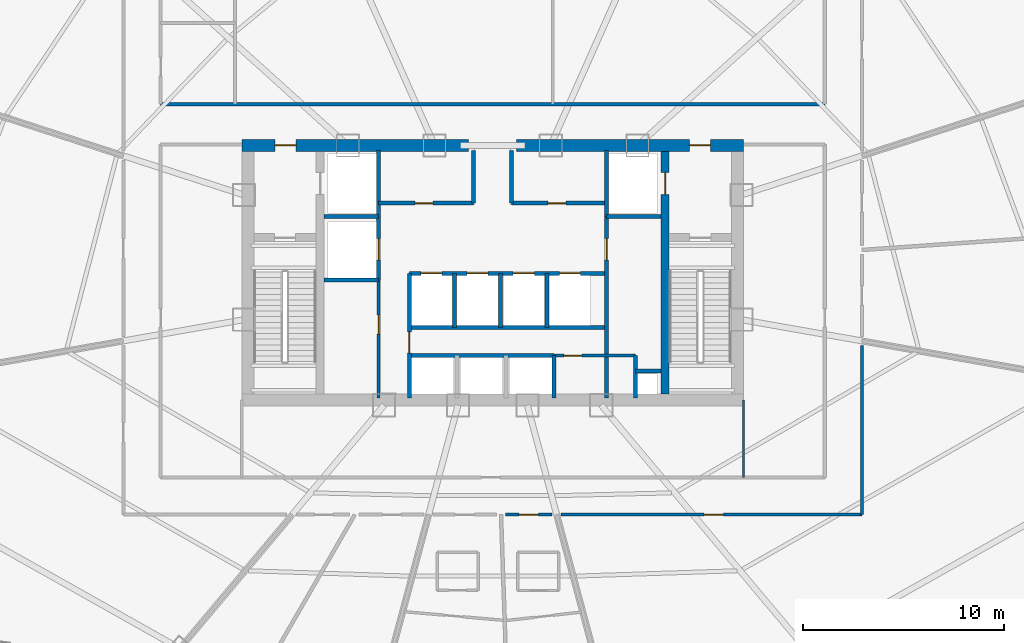
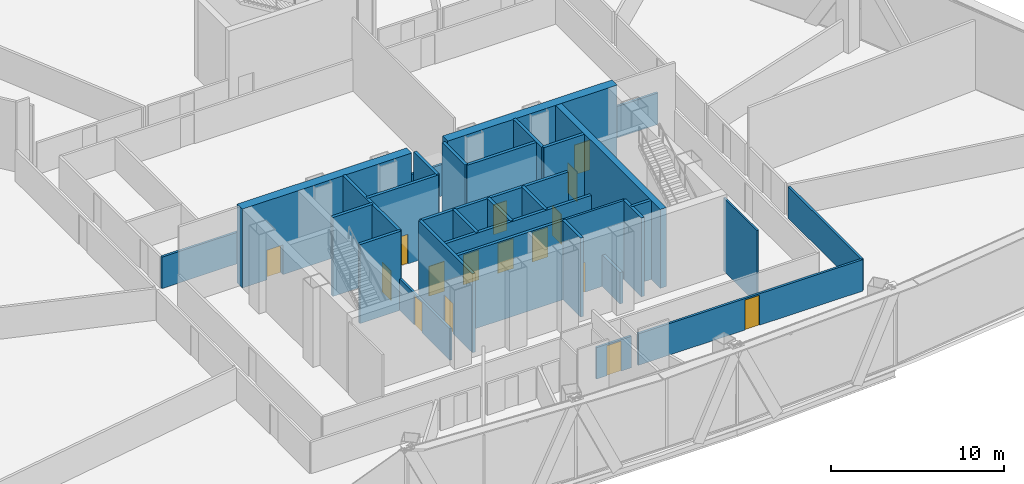
# One storey, part 34 of 40: 30 walls, 16 doors, 16 openings.
"""IFC4 building model written with IfcOpenShell, lengths in metres."""

from ifc_helpers import new_model, si_unit, direction, frame, frame_2d, origin, origin_with_axes, place, context, subcontext, project, spatial, rectangle, extrude, source, transform, mapped, material, layer, layer_set, type_object, element, fill, save


model = new_model("IFC4")

# Units and contexts
model_context = context("Model", 3, precision=1e-05, world=origin(), true_north=direction((0.0, 1.0)))
body_context = subcontext(model_context, "Body", "Model", "MODEL_VIEW")
ifc_project = project(units=[si_unit("LENGTHUNIT", "METRE"), si_unit("AREAUNIT", "SQUARE_METRE"), si_unit("VOLUMEUNIT", "CUBIC_METRE"), si_unit("PLANEANGLEUNIT", "RADIAN"), si_unit("MASSUNIT", "GRAM", prefix="KILO"), si_unit("THERMODYNAMICTEMPERATUREUNIT", "KELVIN"), si_unit("POWERUNIT", "WATT")], contexts=[model_context])

# Site, building, storey
site_placement = place(None, origin())
site = spatial("IfcSite", under=ifc_project, at=site_placement, CompositionType="ELEMENT")
building_placement = place(site_placement, origin())
building = spatial("IfcBuilding", under=site, at=building_placement, Name="Yunzhuo Pagoda Commons", CompositionType="ELEMENT")
storey_placement = place(building_placement, frame((0.0, 0.0, 170.31005859375)))
storey = spatial("IfcBuildingStorey", under=building, at=storey_placement, Name="L43", CompositionType="ELEMENT", Elevation=170.31005859375)

# Wall, opening, door
ifc_material_1 = material(Name="Concrete C60", Category="concrete")
ifc_layer_1 = layer(ifc_material_1, 0.60009765625)
ifc_layer_set_1 = layer_set([ifc_layer_1], Name="Concrete C60")
wall_type_1 = type_object("IfcWallType", Name="W-C02 Mid Core Shear Wall 600", PredefinedType="SHEAR", material=ifc_layer_set_1)
wall_1_placement = place(storey_placement, frame((35.5, 40.199951171875, 0.0), z_axis=(0.0, 0.0, 1.0), x_axis=(1.0, 0.0, 0.0)))
wall_1 = element("IfcWall", 1, at=wall_1_placement, inside=storey, type_object=wall_type_1, Name="L43 core shear wall NW", PredefinedType="SHEAR", context=body_context, shape_type="SweptSolid", body=[
    extrude(rectangle(XDim=11.300048828125, YDim=0.60009765625, at=frame_2d((5.64990234375, 0.0))), origin(), (0.0, 0.0, 1.0), 5.56982421875),
])
opening_1_placement = place(wall_1_placement, frame((1.64990234375, 0.0, 0.0)))
opening_1 = element("IfcOpeningElement", 2, at=opening_1_placement, cuts=wall_1, Name="Opening D-02", PredefinedType="OPENING", context=body_context, shape_type="SweptSolid", body=[
    extrude(rectangle(XDim=1.050048828125, YDim=2.10009765625, at=frame_2d((0.52490234375, 1.050048828125))), frame((0.0, 0.31005859375, 0.0), z_axis=(0.0, -1.0, 0.0), x_axis=(1.0, 0.0, 0.0)), (0.0, 0.0, 1.0), 0.6201171875),
])
ifc_material_2 = material(Name="Galvanized fire-resisting metal leaf")
door_type_1 = type_object("IfcDoorType", Name="D-02 Firefighting Lobby & Refuge Fire Door 1050x2100", OperationType="NOTDEFINED", PredefinedType="DOOR", material=ifc_material_2)
shared_shape_1 = source(origin(), body_context, "Body", "SweptSolid", [
    extrude(rectangle(XDim=1.050048828125, YDim=2.10009765625, at=frame_2d((0.52490234375, 1.050048828125))), frame((0.0, 0.02490234375, 0.0), z_axis=(0.0, -1.0, 0.0), x_axis=(1.0, 0.0, 0.0)), (0.0, 0.0, 1.0), 0.050048828125),
])
door_1_placement = place(opening_1_placement, frame((1.050048828125, 0.0, 0.0), z_axis=(0.0, 0.0, 1.0), x_axis=(-1.0, 0.0, 0.0)))
door_1 = element("IfcDoor", 3, at=door_1_placement, inside=storey, type_object=door_type_1, Name="L43 Firefighting Lobby 1 fire door", OperationType="SINGLE_SWING_LEFT", OverallHeight=2.10009765625, OverallWidth=1.050048828125, PredefinedType="DOOR", context=body_context, shape_type="MappedRepresentation", body=[
    mapped(shared_shape_1, transform((0.0, 0.0, 0.0), scale=1.0)),
])
fill(opening_1, door_1)

wall_2_placement = place(storey_placement, frame((49.199951171875, 40.199951171875, 0.0), z_axis=(0.0, 0.0, 1.0), x_axis=(1.0, 0.0, 0.0)))
wall_2 = element("IfcWall", 4, at=wall_2_placement, inside=storey, type_object=wall_type_1, Name="L43 core shear wall NE", PredefinedType="SHEAR", context=body_context, shape_type="SweptSolid", body=[
    extrude(rectangle(XDim=11.300048828125, YDim=0.60009765625, at=frame_2d((5.64990234375, 0.0))), origin(), (0.0, 0.0, 1.0), 5.56982421875),
])
opening_2_placement = place(wall_2_placement, frame((8.60009765625, 0.0, 0.0)))
opening_2 = element("IfcOpeningElement", 5, at=opening_2_placement, cuts=wall_2, Name="Opening D-02", PredefinedType="OPENING", context=body_context, shape_type="SweptSolid", body=[
    extrude(rectangle(XDim=1.050048828125, YDim=2.10009765625, at=frame_2d((0.52490234375, 1.050048828125))), frame((0.0, 0.31005859375, 0.0), z_axis=(0.0, -1.0, 0.0), x_axis=(1.0, 0.0, 0.0)), (0.0, 0.0, 1.0), 0.6201171875),
])
door_2_placement = place(opening_2_placement, frame((1.050048828125, 0.0, 0.0), z_axis=(0.0, 0.0, 1.0), x_axis=(-1.0, 0.0, 0.0)))
door_2 = element("IfcDoor", 6, at=door_2_placement, inside=storey, type_object=door_type_1, Name="L43 Firefighting Lobby 2 fire door", OperationType="SINGLE_SWING_RIGHT", OverallHeight=2.10009765625, OverallWidth=1.050048828125, PredefinedType="DOOR", context=body_context, shape_type="MappedRepresentation", body=[
    mapped(shared_shape_1, transform((0.0, 0.0, 0.0), scale=1.0)),
])
fill(opening_2, door_2)

ifc_material_3 = material(Name="Gypsum plasterboard on acoustic stud")
ifc_layer_2 = layer(ifc_material_3, 0.155029296875)
ifc_layer_set_2 = layer_set([ifc_layer_2], Name="Gypsum plasterboard on acoustic stud")
wall_type_2 = type_object("IfcWallType", Name="W-COR2 Mid-Zone Rated Corridor Wall 155", PredefinedType="PARTITIONING", material=ifc_layer_set_2)
wall_3_placement = place(storey_placement, frame((42.320068359375, 27.60009765625, 0.0), z_axis=(0.0, 0.0, 1.0), x_axis=(0.0, 1.0, 0.0)))
wall_3 = element("IfcWall", 7, at=wall_3_placement, inside=storey, type_object=wall_type_2, Name="L43 interior wall IW-L43-CSWE", PredefinedType="PARTITIONING", context=body_context, shape_type="SweptSolid", body=[
    extrude(rectangle(XDim=5.89990234375, YDim=0.155029296875, at=frame_2d((2.949951171875, 0.0))), origin(), (0.0, 0.0, 1.0), 2.219970703125),
])
opening_3_placement = place(wall_3_placement, frame((3.199951171875, 0.0, 0.0)))
opening_3 = element("IfcOpeningElement", 8, at=opening_3_placement, cuts=wall_3, Name="Opening D-11", PredefinedType="OPENING", context=body_context, shape_type="SweptSolid", body=[
    extrude(rectangle(XDim=0.93994140625, YDim=2.10009765625, at=frame_2d((0.469970703125, 1.050048828125))), frame((0.0, 0.08740234375, 0.0), z_axis=(0.0, -1.0, 0.0), x_axis=(1.0, 0.0, 0.0)), (0.0, 0.0, 1.0), 0.175048828125),
])
door_type_2 = type_object("IfcDoorType", Name="D-11 Accessible Washroom Fire Door 940x2100", OperationType="NOTDEFINED", PredefinedType="DOOR", material=ifc_material_2)
shared_shape_2 = source(origin(), body_context, "Body", "SweptSolid", [
    extrude(rectangle(XDim=0.93994140625, YDim=2.10009765625, at=frame_2d((0.469970703125, 1.050048828125))), frame((0.0, 0.02490234375, 0.0), z_axis=(0.0, -1.0, 0.0), x_axis=(1.0, 0.0, 0.0)), (0.0, 0.0, 1.0), 0.050048828125),
])
door_3_placement = place(opening_3_placement, origin_with_axes())
door_3 = element("IfcDoor", 9, at=door_3_placement, inside=storey, type_object=door_type_2, Name="L43 core WC door", OperationType="SINGLE_SWING_LEFT", OverallHeight=2.10009765625, OverallWidth=0.93994140625, PredefinedType="DOOR", context=body_context, shape_type="MappedRepresentation", body=[
    mapped(shared_shape_2, transform((0.0, 0.0, 0.0), scale=1.0)),
])
fill(opening_3, door_3)

wall_4_placement = place(storey_placement, frame((51.050048828125, 29.719970703125, 0.0), z_axis=(0.0, 0.0, 1.0), x_axis=(1.0, 0.0, 0.0)))
wall_4 = element("IfcWall", 10, at=wall_4_placement, inside=storey, type_object=wall_type_2, Name="L43 interior wall IW-L43-CSES", PredefinedType="PARTITIONING", context=body_context, shape_type="SweptSolid", body=[
    extrude(rectangle(XDim=4.070068359375, YDim=0.155029296875, at=frame_2d((2.03515625, 0.0))), origin(), (0.0, 0.0, 1.0), 5.56982421875),
])
opening_4_placement = place(wall_4_placement, frame((0.5, 0.0, 0.0)))
opening_4 = element("IfcOpeningElement", 11, at=opening_4_placement, cuts=wall_4, Name="Opening D-03", PredefinedType="OPENING", context=body_context, shape_type="SweptSolid", body=[
    extrude(rectangle(XDim=0.89990234375, YDim=2.10009765625, at=frame_2d((0.449951171875, 1.050048828125))), frame((0.0, 0.08740234375, 0.0), z_axis=(0.0, -1.0, 0.0), x_axis=(1.0, 0.0, 0.0)), (0.0, 0.0, 1.0), 0.175048828125),
])
door_type_3 = type_object("IfcDoorType", Name="D-03 Core Service Fire Door 900x2100", OperationType="NOTDEFINED", PredefinedType="DOOR", material=ifc_material_2)
shared_shape_3 = source(origin(), body_context, "Body", "SweptSolid", [
    extrude(rectangle(XDim=0.89990234375, YDim=2.10009765625, at=frame_2d((0.449951171875, 1.050048828125))), frame((0.0, 0.02490234375, 0.0), z_axis=(0.0, -1.0, 0.0), x_axis=(1.0, 0.0, 0.0)), (0.0, 0.0, 1.0), 0.050048828125),
])
door_4_placement = place(opening_4_placement, origin_with_axes())
door_4 = element("IfcDoor", 12, at=door_4_placement, inside=storey, type_object=door_type_3, Name="L43 cleaner store door", OperationType="SINGLE_SWING_LEFT", OverallHeight=2.10009765625, OverallWidth=0.89990234375, PredefinedType="DOOR", context=body_context, shape_type="MappedRepresentation", body=[
    mapped(shared_shape_3, transform((0.0, 0.0, 0.0), scale=1.0)),
])
fill(opening_4, door_4)

# Walls
wall_5_placement = place(storey_placement, frame((31.449951171875, 42.25, 0.0), z_axis=(0.0, 0.0, 1.0), x_axis=(1.0, 0.0, 0.0)))
element("IfcWall", 13, at=wall_5_placement, inside=storey, type_object=wall_type_2, Name="L43 interior wall IW-L43-MCNS", PredefinedType="PARTITIONING", context=body_context, shape_type="SweptSolid", body=[
    extrude(rectangle(XDim=33.10009765625, YDim=0.155029296875, at=frame_2d((16.550048828125, 0.0))), origin(), (0.0, 0.0, 1.0), 2.219970703125),
])
wall_6_placement = place(storey_placement, frame((66.39990234375, 30.232177734375, 0.0), z_axis=(0.0, 0.0, 1.0), x_axis=(0.0, -1.0, 0.0)))
element("IfcWall", 14, at=wall_6_placement, inside=storey, type_object=wall_type_2, Name="L43 interior wall IW-L43-CWL14", PredefinedType="PARTITIONING", context=body_context, shape_type="SweptSolid", body=[
    extrude(rectangle(XDim=8.43212890625, YDim=0.155029296875, at=frame_2d((4.216064453125, 0.0))), origin(), (0.0, 0.0, 1.0), 2.219970703125),
])

# Wall, opening, door
wall_7_placement = place(storey_placement, frame((66.39990234375, 21.800048828125, 0.0), z_axis=(0.0, 0.0, 1.0), x_axis=(-1.0, 0.0, 0.0)))
wall_7 = element("IfcWall", 15, at=wall_7_placement, inside=storey, type_object=wall_type_2, Name="L43 interior wall IW-L43-CWL15", PredefinedType="PARTITIONING", context=body_context, shape_type="SweptSolid", body=[
    extrude(rectangle(XDim=14.9833984375, YDim=0.155029296875, at=frame_2d((7.49169921875, 0.0))), origin(), (0.0, 0.0, 1.0), 2.219970703125),
])
opening_5_placement = place(wall_7_placement, frame((6.900634765625, 0.0, 0.0)))
opening_5 = element("IfcOpeningElement", 16, at=opening_5_placement, cuts=wall_7, Name="Opening D-07", PredefinedType="OPENING", context=body_context, shape_type="SweptSolid", body=[
    extrude(rectangle(XDim=0.9599609375, YDim=2.1201171875, at=frame_2d((0.47998046875, 1.06005859375))), frame((0.0, 0.08740234375, 0.0), z_axis=(0.0, -1.0, 0.0), x_axis=(1.0, 0.0, 0.0)), (0.0, 0.0, 1.0), 0.175048828125),
])
door_type_4 = type_object("IfcDoorType", Name="D-07 Mid-Zone Suite Entrance Fire Door 960x2120", OperationType="NOTDEFINED", PredefinedType="DOOR", material=ifc_material_2)
shared_shape_4 = source(origin(), body_context, "Body", "SweptSolid", [
    extrude(rectangle(XDim=0.9599609375, YDim=2.1201171875, at=frame_2d((0.47998046875, 1.06005859375))), frame((0.0, 0.02490234375, 0.0), z_axis=(0.0, -1.0, 0.0), x_axis=(1.0, 0.0, 0.0)), (0.0, 0.0, 1.0), 0.050048828125),
])
door_5_placement = place(opening_5_placement, origin_with_axes())
door_5 = element("IfcDoor", 17, at=door_5_placement, inside=storey, type_object=door_type_4, Name="L43 Resident Co-Living Commons Hall door", OperationType="SINGLE_SWING_LEFT", OverallHeight=2.1201171875, OverallWidth=0.9599609375, PredefinedType="DOOR", context=body_context, shape_type="MappedRepresentation", body=[
    mapped(shared_shape_4, transform((0.0, 0.0, 0.0), scale=1.0)),
])
fill(opening_5, door_5)

wall_8_placement = place(storey_placement, frame((50.96875, 21.800048828125, 0.0), z_axis=(0.0, 0.0, 1.0), x_axis=(-1.0, 0.0, 0.0)))
wall_8 = element("IfcWall", 18, at=wall_8_placement, inside=storey, type_object=wall_type_2, Name="L43 interior wall IW-L43-CWL16", PredefinedType="PARTITIONING", context=body_context, shape_type="SweptSolid", body=[
    extrude(rectangle(XDim=2.3330078125, YDim=0.155029296875, at=frame_2d((1.16650390625, 0.0))), origin(), (0.0, 0.0, 1.0), 2.219970703125),
])
opening_6_placement = place(wall_8_placement, frame((0.691650390625, 0.0, 0.0)))
opening_6 = element("IfcOpeningElement", 19, at=opening_6_placement, cuts=wall_8, Name="Opening D-07", PredefinedType="OPENING", context=body_context, shape_type="SweptSolid", body=[
    extrude(rectangle(XDim=0.9599609375, YDim=2.1201171875, at=frame_2d((0.47998046875, 1.06005859375))), frame((0.0, 0.08740234375, 0.0), z_axis=(0.0, -1.0, 0.0), x_axis=(1.0, 0.0, 0.0)), (0.0, 0.0, 1.0), 0.175048828125),
])
door_6_placement = place(opening_6_placement, origin_with_axes())
door_6 = element("IfcDoor", 20, at=door_6_placement, inside=storey, type_object=door_type_4, Name="L43 unit 13 entrance door", OperationType="SINGLE_SWING_RIGHT", OverallHeight=2.1201171875, OverallWidth=0.9599609375, PredefinedType="DOOR", context=body_context, shape_type="MappedRepresentation", body=[
    mapped(shared_shape_4, transform((0.0, 0.0, 0.0), scale=1.0)),
])
fill(opening_6, door_6)

# Wall
ifc_layer_3 = layer(ifc_material_3, 0.1201171875)
ifc_layer_set_3 = layer_set([ifc_layer_3], Name="Gypsum plasterboard on acoustic stud")
wall_type_3 = type_object("IfcWallType", Name="W-PRT1 Suite & Bathroom Partition 120", PredefinedType="PARTITIONING", material=ifc_layer_set_3)
wall_9_placement = place(storey_placement, frame((60.5, 23.64990234375, 0.0), z_axis=(0.0, 0.0, 1.0), x_axis=(0.0, 1.0, 0.0)))
element("IfcWall", 21, at=wall_9_placement, inside=storey, type_object=wall_type_3, Name="L43 interior wall IW-L43-SFLD2", PredefinedType="PARTITIONING", context=body_context, shape_type="SweptSolid", body=[
    extrude(rectangle(XDim=3.85009765625, YDim=0.1201171875, at=frame_2d((1.925048828125, 0.0))), origin(), (0.0, 0.0, 1.0), 5.169921875),
])

# Wall, opening, door
ifc_layer_4 = layer(ifc_material_1, 0.39990234375)
ifc_layer_set_4 = layer_set([ifc_layer_4], Name="Concrete C60")
wall_type_4 = type_object("IfcWallType", Name="W-S01 Internal Core Shear Web 400", PredefinedType="SHEAR", material=ifc_layer_set_4)
wall_10_placement = place(storey_placement, frame((56.60009765625, 27.800048828125, 0.0), z_axis=(0.0, 0.0, 1.0), x_axis=(0.0, 1.0, 0.0)))
wall_10 = element("IfcWall", 22, at=wall_10_placement, inside=storey, type_object=wall_type_4, Name="L43 core shear wall WEBE", PredefinedType="SHEAR", context=body_context, shape_type="SweptSolid", body=[
    extrude(rectangle(XDim=12.099853515625, YDim=0.39990234375, at=frame_2d((6.0498046875, 0.0))), origin(), (0.0, 0.0, 1.0), 5.56982421875),
])
opening_7_placement = place(wall_10_placement, frame((9.949951171875, 0.0, 0.0)))
opening_7 = element("IfcOpeningElement", 23, at=opening_7_placement, cuts=wall_10, Name="Opening LD-01", PredefinedType="OPENING", context=body_context, shape_type="SweptSolid", body=[
    extrude(rectangle(XDim=1.10009765625, YDim=2.10009765625, at=frame_2d((0.550048828125, 1.050048828125))), frame((0.0, 0.2099609375, 0.0), z_axis=(0.0, -1.0, 0.0), x_axis=(1.0, 0.0, 0.0)), (0.0, 0.0, 1.0), 0.419921875),
])
door_type_5 = type_object("IfcDoorType", Name="LD-01 Firefighting Lift Landing Door 1100x2100", OperationType="DOUBLE_DOOR_SLIDING", PredefinedType="DOOR", material=ifc_material_2)
shared_shape_5 = source(origin(), body_context, "Body", "SweptSolid", [
    extrude(rectangle(XDim=1.10009765625, YDim=2.10009765625, at=frame_2d((0.550048828125, 1.050048828125))), frame((0.0, 0.02490234375, 0.0), z_axis=(0.0, -1.0, 0.0), x_axis=(1.0, 0.0, 0.0)), (0.0, 0.0, 1.0), 0.050048828125),
])
door_7_placement = place(opening_7_placement, origin_with_axes())
door_7 = element("IfcDoor", 24, at=door_7_placement, inside=storey, type_object=door_type_5, Name="L43 Firefighting lift FL-2 landing door", OperationType="DOUBLE_DOOR_SLIDING", OverallHeight=2.10009765625, OverallWidth=1.10009765625, PredefinedType="DOOR", context=body_context, shape_type="MappedRepresentation", body=[
    mapped(shared_shape_5, transform((0.0, 0.0, 0.0), scale=1.0)),
])
fill(opening_7, door_7)

ifc_material_4 = material(Name="Concrete C40", Category="concrete")
ifc_layer_5 = layer(ifc_material_4, 0.199951171875)
ifc_layer_set_5 = layer_set([ifc_layer_5], Name="Concrete C40")
wall_type_5 = type_object("IfcWallType", Name="W-SHF Shaft & Stair Enclosure Wall 200", PredefinedType="SOLIDWALL", material=ifc_layer_set_5)
wall_11_placement = place(storey_placement, frame((42.320068359375, 33.5, 0.0), z_axis=(0.0, 0.0, 1.0), x_axis=(0.0, 1.0, 0.0)))
wall_11 = element("IfcWall", 25, at=wall_11_placement, inside=storey, type_object=wall_type_5, Name="L43 interior wall IW-L43-FL1E", PredefinedType="SOLIDWALL", context=body_context, shape_type="SweptSolid", body=[
    extrude(rectangle(XDim=6.449951171875, YDim=0.199951171875, at=frame_2d((3.22509765625, 0.0))), origin(), (0.0, 0.0, 1.0), 5.56982421875),
])
opening_8_placement = place(wall_11_placement, frame((1.0, 0.0, 0.0)))
opening_8 = element("IfcOpeningElement", 26, at=opening_8_placement, cuts=wall_11, Name="Opening LD-02", PredefinedType="OPENING", context=body_context, shape_type="SweptSolid", body=[
    extrude(rectangle(XDim=1.050048828125, YDim=2.10009765625, at=frame_2d((0.52490234375, 1.050048828125))), frame((0.0, 0.10986328125, 0.0), z_axis=(0.0, -1.0, 0.0), x_axis=(1.0, 0.0, 0.0)), (0.0, 0.0, 1.0), 0.219970703125),
])
door_type_6 = type_object("IfcDoorType", Name="LD-02 Passenger Lift Landing Door 1050x2100", OperationType="DOUBLE_DOOR_SLIDING", PredefinedType="DOOR", material=ifc_material_2)
door_8_placement = place(opening_8_placement, origin_with_axes())
door_8 = element("IfcDoor", 27, at=door_8_placement, inside=storey, type_object=door_type_6, Name="L43 Service lift SL-1 landing door", OperationType="DOUBLE_DOOR_SLIDING", OverallHeight=2.10009765625, OverallWidth=1.050048828125, PredefinedType="DOOR", context=body_context, shape_type="MappedRepresentation", body=[
    mapped(shared_shape_1, transform((0.0, 0.0, 0.0), scale=1.0)),
])
fill(opening_8, door_8)

# Walls
for number, where, z_axis, x_axis, name in (
    (28, (39.60009765625, 36.64990234375, 0.0), (0.0, 0.0, 1.0), (1.0, 0.0, 0.0), "L43 interior wall IW-L43-FL1S"),
    (29, (39.60009765625, 33.5, 0.0), (0.0, 0.0, 1.0), (1.0, 0.0, 0.0), "L43 interior wall IW-L43-SL1S"),
):
    element("IfcWall", number, at=place(storey_placement, frame(where, z_axis=z_axis, x_axis=x_axis)), inside=storey, type_object=wall_type_5, Name=name, PredefinedType="SOLIDWALL", context=body_context, shape_type="SweptSolid", body=[
        extrude(rectangle(XDim=2.719970703125, YDim=0.199951171875, at=frame_2d((1.35986328125, 0.0))), origin(), (0.0, 0.0, 1.0), 5.56982421875),
    ])
wall_12_placement = place(storey_placement, frame((53.679931640625, 36.64990234375, 0.0), z_axis=(0.0, 0.0, 1.0), x_axis=(0.0, 1.0, 0.0)))
element("IfcWall", 30, at=wall_12_placement, inside=storey, type_object=wall_type_5, Name="L43 interior wall IW-L43-FL2W", PredefinedType="SOLIDWALL", context=body_context, shape_type="SweptSolid", body=[
    extrude(rectangle(XDim=3.300048828125, YDim=0.199951171875, at=frame_2d((1.64990234375, 0.0))), origin(), (0.0, 0.0, 1.0), 5.56982421875),
])
wall_13_placement = place(storey_placement, frame((53.679931640625, 36.64990234375, 0.0), z_axis=(0.0, 0.0, 1.0), x_axis=(1.0, 0.0, 0.0)))
element("IfcWall", 31, at=wall_13_placement, inside=storey, type_object=wall_type_5, Name="L43 interior wall IW-L43-FL2S", PredefinedType="SOLIDWALL", context=body_context, shape_type="SweptSolid", body=[
    extrude(rectangle(XDim=2.719970703125, YDim=0.199951171875, at=frame_2d((1.35986328125, 0.0))), origin(), (0.0, 0.0, 1.0), 5.56982421875),
])

# Wall, opening, door
wall_14_placement = place(storey_placement, frame((42.320068359375, 37.320068359375, 0.0), z_axis=(0.0, 0.0, 1.0), x_axis=(1.0, 0.0, 0.0)))
wall_14 = element("IfcWall", 32, at=wall_14_placement, inside=storey, type_object=wall_type_5, Name="L43 interior wall IW-L43-LBNW", PredefinedType="SOLIDWALL", context=body_context, shape_type="SweptSolid", body=[
    extrude(rectangle(XDim=4.72998046875, YDim=0.199951171875, at=frame_2d((2.364990234375, 0.0))), origin(), (0.0, 0.0, 1.0), 5.56982421875),
])
opening_9_placement = place(wall_14_placement, frame((1.800048828125, 0.0, 0.0)))
opening_9 = element("IfcOpeningElement", 33, at=opening_9_placement, cuts=wall_14, Name="Opening D-03", PredefinedType="OPENING", context=body_context, shape_type="SweptSolid", body=[
    extrude(rectangle(XDim=0.89990234375, YDim=2.10009765625, at=frame_2d((0.449951171875, 1.050048828125))), frame((0.0, 0.10986328125, 0.0), z_axis=(0.0, -1.0, 0.0), x_axis=(1.0, 0.0, 0.0)), (0.0, 0.0, 1.0), 0.219970703125),
])
door_9_placement = place(opening_9_placement, frame((0.89990234375, 0.0, 0.0), z_axis=(0.0, 0.0, 1.0), x_axis=(-1.0, 0.0, 0.0)))
door_9 = element("IfcDoor", 34, at=door_9_placement, inside=storey, type_object=door_type_3, Name="L43 core west store door", OperationType="SINGLE_SWING_LEFT", OverallHeight=2.10009765625, OverallWidth=0.89990234375, PredefinedType="DOOR", context=body_context, shape_type="MappedRepresentation", body=[
    mapped(shared_shape_3, transform((0.0, 0.0, 0.0), scale=1.0)),
])
fill(opening_9, door_9)

wall_15_placement = place(storey_placement, frame((48.949951171875, 37.320068359375, 0.0), z_axis=(0.0, 0.0, 1.0), x_axis=(1.0, 0.0, 0.0)))
wall_15 = element("IfcWall", 35, at=wall_15_placement, inside=storey, type_object=wall_type_5, Name="L43 interior wall IW-L43-LBNE", PredefinedType="SOLIDWALL", context=body_context, shape_type="SweptSolid", body=[
    extrude(rectangle(XDim=4.72998046875, YDim=0.199951171875, at=frame_2d((2.364990234375, 0.0))), origin(), (0.0, 0.0, 1.0), 5.56982421875),
])
opening_10_placement = place(wall_15_placement, frame((1.800048828125, 0.0, 0.0)))
opening_10 = element("IfcOpeningElement", 36, at=opening_10_placement, cuts=wall_15, Name="Opening D-03", PredefinedType="OPENING", context=body_context, shape_type="SweptSolid", body=[
    extrude(rectangle(XDim=0.89990234375, YDim=2.10009765625, at=frame_2d((0.449951171875, 1.050048828125))), frame((0.0, 0.10986328125, 0.0), z_axis=(0.0, -1.0, 0.0), x_axis=(1.0, 0.0, 0.0)), (0.0, 0.0, 1.0), 0.219970703125),
])
door_10_placement = place(opening_10_placement, frame((0.89990234375, 0.0, 0.0), z_axis=(0.0, 0.0, 1.0), x_axis=(-1.0, 0.0, 0.0)))
door_10 = element("IfcDoor", 37, at=door_10_placement, inside=storey, type_object=door_type_3, Name="L43 core east store door", OperationType="SINGLE_SWING_RIGHT", OverallHeight=2.10009765625, OverallWidth=0.89990234375, PredefinedType="DOOR", context=body_context, shape_type="MappedRepresentation", body=[
    mapped(shared_shape_3, transform((0.0, 0.0, 0.0), scale=1.0)),
])
fill(opening_10, door_10)

# Walls
for number, where, z_axis, x_axis, name in (
    (38, (47.050048828125, 37.320068359375, 0.0), (0.0, 0.0, 1.0), (0.0, 1.0, 0.0), "L43 interior wall IW-L43-THRW"),
    (39, (48.949951171875, 37.320068359375, 0.0), (0.0, 0.0, 1.0), (0.0, 1.0, 0.0), "L43 interior wall IW-L43-THRE"),
):
    element("IfcWall", number, at=place(storey_placement, frame(where, z_axis=z_axis, x_axis=x_axis)), inside=storey, type_object=wall_type_5, Name=name, PredefinedType="SOLIDWALL", context=body_context, shape_type="SweptSolid", body=[
        extrude(rectangle(XDim=2.6298828125, YDim=0.199951171875, at=frame_2d((1.31494140625, 0.0))), origin(), (0.0, 0.0, 1.0), 5.56982421875),
    ])

# Wall, openings, doors
wall_16_placement = place(storey_placement, frame((43.85009765625, 33.820068359375, 0.0), z_axis=(0.0, 0.0, 1.0), x_axis=(1.0, 0.0, 0.0)))
wall_16 = element("IfcWall", 40, at=wall_16_placement, inside=storey, type_object=wall_type_5, Name="L43 interior wall IW-L43-MLBS", PredefinedType="SOLIDWALL", context=body_context, shape_type="SweptSolid", body=[
    extrude(rectangle(XDim=9.829833984375, YDim=0.199951171875, at=frame_2d((4.9150390625, 0.0))), origin(), (0.0, 0.0, 1.0), 5.56982421875),
])
opening_11_placement = place(wall_16_placement, frame((0.574951171875, 0.0, 0.0)))
opening_11 = element("IfcOpeningElement", 41, at=opening_11_placement, cuts=wall_16, Name="Opening LD-02", PredefinedType="OPENING", context=body_context, shape_type="SweptSolid", body=[
    extrude(rectangle(XDim=1.050048828125, YDim=2.10009765625, at=frame_2d((0.52490234375, 1.050048828125))), frame((0.0, 0.10986328125, 0.0), z_axis=(0.0, -1.0, 0.0), x_axis=(1.0, 0.0, 0.0)), (0.0, 0.0, 1.0), 0.219970703125),
])
opening_12_placement = place(wall_16_placement, frame((2.875, 0.0, 0.0)))
opening_12 = element("IfcOpeningElement", 42, at=opening_12_placement, cuts=wall_16, Name="Opening LD-02", PredefinedType="OPENING", context=body_context, shape_type="SweptSolid", body=[
    extrude(rectangle(XDim=1.050048828125, YDim=2.10009765625, at=frame_2d((0.52490234375, 1.050048828125))), frame((0.0, 0.10986328125, 0.0), z_axis=(0.0, -1.0, 0.0), x_axis=(1.0, 0.0, 0.0)), (0.0, 0.0, 1.0), 0.219970703125),
])
opening_13_placement = place(wall_16_placement, frame((5.175048828125, 0.0, 0.0)))
opening_13 = element("IfcOpeningElement", 43, at=opening_13_placement, cuts=wall_16, Name="Opening LD-02", PredefinedType="OPENING", context=body_context, shape_type="SweptSolid", body=[
    extrude(rectangle(XDim=1.050048828125, YDim=2.10009765625, at=frame_2d((0.52490234375, 1.050048828125))), frame((0.0, 0.10986328125, 0.0), z_axis=(0.0, -1.0, 0.0), x_axis=(1.0, 0.0, 0.0)), (0.0, 0.0, 1.0), 0.219970703125),
])
opening_14_placement = place(wall_16_placement, frame((7.47509765625, 0.0, 0.0)))
opening_14 = element("IfcOpeningElement", 44, at=opening_14_placement, cuts=wall_16, Name="Opening LD-02", PredefinedType="OPENING", context=body_context, shape_type="SweptSolid", body=[
    extrude(rectangle(XDim=1.050048828125, YDim=2.10009765625, at=frame_2d((0.52490234375, 1.050048828125))), frame((0.0, 0.10986328125, 0.0), z_axis=(0.0, -1.0, 0.0), x_axis=(1.0, 0.0, 0.0)), (0.0, 0.0, 1.0), 0.219970703125),
])
door_11_placement = place(opening_11_placement, origin_with_axes())
door_11 = element("IfcDoor", 45, at=door_11_placement, inside=storey, type_object=door_type_6, Name="L43 Passenger lift PL-M1 landing door", OperationType="DOUBLE_DOOR_SLIDING", OverallHeight=2.10009765625, OverallWidth=1.050048828125, PredefinedType="DOOR", context=body_context, shape_type="MappedRepresentation", body=[
    mapped(shared_shape_1, transform((0.0, 0.0, 0.0), scale=1.0)),
])
fill(opening_11, door_11)
door_12_placement = place(opening_12_placement, origin_with_axes())
door_12 = element("IfcDoor", 46, at=door_12_placement, inside=storey, type_object=door_type_6, Name="L43 Passenger lift PL-M2 landing door", OperationType="DOUBLE_DOOR_SLIDING", OverallHeight=2.10009765625, OverallWidth=1.050048828125, PredefinedType="DOOR", context=body_context, shape_type="MappedRepresentation", body=[
    mapped(shared_shape_1, transform((0.0, 0.0, 0.0), scale=1.0)),
])
fill(opening_12, door_12)
door_13_placement = place(opening_13_placement, origin_with_axes())
door_13 = element("IfcDoor", 47, at=door_13_placement, inside=storey, type_object=door_type_6, Name="L43 Passenger lift PL-M3 landing door", OperationType="DOUBLE_DOOR_SLIDING", OverallHeight=2.10009765625, OverallWidth=1.050048828125, PredefinedType="DOOR", context=body_context, shape_type="MappedRepresentation", body=[
    mapped(shared_shape_1, transform((0.0, 0.0, 0.0), scale=1.0)),
])
fill(opening_13, door_13)
door_14_placement = place(opening_14_placement, origin_with_axes())
door_14 = element("IfcDoor", 48, at=door_14_placement, inside=storey, type_object=door_type_6, Name="L43 Passenger lift PL-M4 landing door", OperationType="DOUBLE_DOOR_SLIDING", OverallHeight=2.10009765625, OverallWidth=1.050048828125, PredefinedType="DOOR", context=body_context, shape_type="MappedRepresentation", body=[
    mapped(shared_shape_1, transform((0.0, 0.0, 0.0), scale=1.0)),
])
fill(opening_14, door_14)

# Wall, opening, door
wall_17_placement = place(storey_placement, frame((43.85009765625, 27.60009765625, 0.0), z_axis=(0.0, 0.0, 1.0), x_axis=(0.0, 1.0, 0.0)))
wall_17 = element("IfcWall", 49, at=wall_17_placement, inside=storey, type_object=wall_type_5, Name="L43 interior wall IW-L43-PLMW", PredefinedType="SOLIDWALL", context=body_context, shape_type="SweptSolid", body=[
    extrude(rectangle(XDim=6.219970703125, YDim=0.199951171875, at=frame_2d((3.10986328125, 0.0))), origin(), (0.0, 0.0, 1.0), 5.56982421875),
])
opening_15_placement = place(wall_17_placement, frame((2.25, 0.0, 0.0)))
opening_15 = element("IfcOpeningElement", 50, at=opening_15_placement, cuts=wall_17, Name="Opening D-02", PredefinedType="OPENING", context=body_context, shape_type="SweptSolid", body=[
    extrude(rectangle(XDim=1.050048828125, YDim=2.10009765625, at=frame_2d((0.52490234375, 1.050048828125))), frame((0.0, 0.10986328125, 0.0), z_axis=(0.0, -1.0, 0.0), x_axis=(1.0, 0.0, 0.0)), (0.0, 0.0, 1.0), 0.219970703125),
])
door_15_placement = place(opening_15_placement, frame((1.050048828125, 0.0, 0.0), z_axis=(0.0, 0.0, 1.0), x_axis=(-1.0, 0.0, 0.0)))
door_15 = element("IfcDoor", 51, at=door_15_placement, inside=storey, type_object=door_type_1, Name="L43 High-bank hall west door", OperationType="SINGLE_SWING_LEFT", OverallHeight=2.10009765625, OverallWidth=1.050048828125, PredefinedType="DOOR", context=body_context, shape_type="MappedRepresentation", body=[
    mapped(shared_shape_1, transform((0.0, 0.0, 0.0), scale=1.0)),
])
fill(opening_15, door_15)

wall_18_placement = place(storey_placement, frame((53.679931640625, 27.60009765625, 0.0), z_axis=(0.0, 0.0, 1.0), x_axis=(0.0, 1.0, 0.0)))
wall_18 = element("IfcWall", 52, at=wall_18_placement, inside=storey, type_object=wall_type_5, Name="L43 interior wall IW-L43-PLME", PredefinedType="SOLIDWALL", context=body_context, shape_type="SweptSolid", body=[
    extrude(rectangle(XDim=9.0498046875, YDim=0.199951171875, at=frame_2d((4.52490234375, 0.0))), origin(), (0.0, 0.0, 1.0), 2.219970703125),
])
opening_16_placement = place(wall_18_placement, frame((6.89990234375, 0.0, 0.0)))
opening_16 = element("IfcOpeningElement", 53, at=opening_16_placement, cuts=wall_18, Name="Opening D-02", PredefinedType="OPENING", context=body_context, shape_type="SweptSolid", body=[
    extrude(rectangle(XDim=1.050048828125, YDim=2.10009765625, at=frame_2d((0.52490234375, 1.050048828125))), frame((0.0, 0.10986328125, 0.0), z_axis=(0.0, -1.0, 0.0), x_axis=(1.0, 0.0, 0.0)), (0.0, 0.0, 1.0), 0.219970703125),
])
door_16_placement = place(opening_16_placement, origin_with_axes())
door_16 = element("IfcDoor", 54, at=door_16_placement, inside=storey, type_object=door_type_1, Name="L43 High-bank lift hall door", OperationType="SINGLE_SWING_RIGHT", OverallHeight=2.10009765625, OverallWidth=1.050048828125, PredefinedType="DOOR", context=body_context, shape_type="MappedRepresentation", body=[
    mapped(shared_shape_1, transform((0.0, 0.0, 0.0), scale=1.0)),
])
fill(opening_16, door_16)

# Walls
for number, where, z_axis, x_axis, name in (
    (55, (46.10009765625, 31.1201171875, 0.0), (0.0, 0.0, 1.0), (0.0, 1.0, 0.0), "L43 interior wall IW-L43-PLMD1"),
    (56, (48.39990234375, 31.1201171875, 0.0), (0.0, 0.0, 1.0), (0.0, 1.0, 0.0), "L43 interior wall IW-L43-PLMD2"),
    (57, (50.699951171875, 31.1201171875, 0.0), (0.0, 0.0, 1.0), (0.0, 1.0, 0.0), "L43 interior wall IW-L43-PLMD3"),
):
    element("IfcWall", number, at=place(storey_placement, frame(where, z_axis=z_axis, x_axis=x_axis)), inside=storey, type_object=wall_type_5, Name=name, PredefinedType="SOLIDWALL", context=body_context, shape_type="SweptSolid", body=[
        extrude(rectangle(XDim=2.699951171875, YDim=0.199951171875, at=frame_2d((1.35009765625, 0.0))), origin(), (0.0, 0.0, 1.0), 5.56982421875),
    ])
wall_19_placement = place(storey_placement, frame((43.85009765625, 29.719970703125, 0.0), z_axis=(0.0, 0.0, 1.0), x_axis=(1.0, 0.0, 0.0)))
element("IfcWall", 58, at=wall_19_placement, inside=storey, type_object=wall_type_5, Name="L43 interior wall IW-L43-PLHN", PredefinedType="SOLIDWALL", context=body_context, shape_type="SweptSolid", body=[
    extrude(rectangle(XDim=7.199951171875, YDim=0.199951171875, at=frame_2d((3.60009765625, 0.0))), origin(), (0.0, 0.0, 1.0), 5.56982421875),
])
wall_20_placement = place(storey_placement, frame((51.050048828125, 27.60009765625, 0.0), z_axis=(0.0, 0.0, 1.0), x_axis=(0.0, 1.0, 0.0)))
element("IfcWall", 59, at=wall_20_placement, inside=storey, type_object=wall_type_5, Name="L43 interior wall IW-L43-PLHE", PredefinedType="SOLIDWALL", context=body_context, shape_type="SweptSolid", body=[
    extrude(rectangle(XDim=2.119873046875, YDim=0.199951171875, at=frame_2d((1.06005859375, 0.0))), origin(), (0.0, 0.0, 1.0), 5.56982421875),
])
wall_21_placement = place(storey_placement, frame((43.85009765625, 31.1201171875, 0.0), z_axis=(0.0, 0.0, 1.0), x_axis=(1.0, 0.0, 0.0)))
element("IfcWall", 60, at=wall_21_placement, inside=storey, type_object=wall_type_5, Name="L43 interior wall IW-L43-PLMS2", PredefinedType="SOLIDWALL", context=body_context, shape_type="SweptSolid", body=[
    extrude(rectangle(XDim=9.829833984375, YDim=0.199951171875, at=frame_2d((4.9150390625, 0.0))), origin(), (0.0, 0.0, 1.0), 5.56982421875),
])
wall_22_placement = place(storey_placement, frame((55.1201171875, 27.60009765625, 0.0), z_axis=(0.0, 0.0, 1.0), x_axis=(0.0, 1.0, 0.0)))
element("IfcWall", 61, at=wall_22_placement, inside=storey, type_object=wall_type_5, Name="L43 interior wall IW-L43-RSHFW", PredefinedType="SOLIDWALL", context=body_context, shape_type="SweptSolid", body=[
    extrude(rectangle(XDim=2.119873046875, YDim=0.199951171875, at=frame_2d((1.06005859375, 0.0))), origin(), (0.0, 0.0, 1.0), 5.56982421875),
])
wall_23_placement = place(storey_placement, frame((55.1201171875, 28.949951171875, 0.0), z_axis=(0.0, 0.0, 1.0), x_axis=(1.0, 0.0, 0.0)))
element("IfcWall", 62, at=wall_23_placement, inside=storey, type_object=wall_type_5, Name="L43 interior wall IW-L43-RSHFN", PredefinedType="SOLIDWALL", context=body_context, shape_type="SweptSolid", body=[
    extrude(rectangle(XDim=1.27978515625, YDim=0.199951171875, at=frame_2d((0.639892578125, 0.0))), origin(), (0.0, 0.0, 1.0), 5.56982421875),
])

save(model, "model.ifc")
